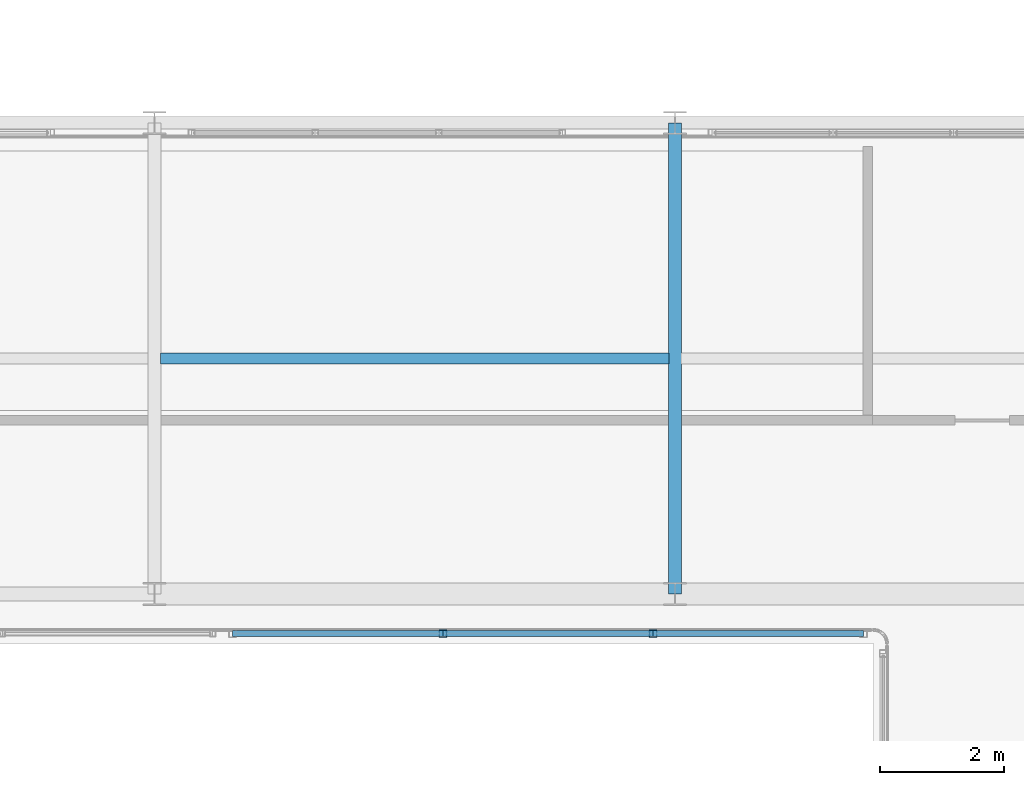
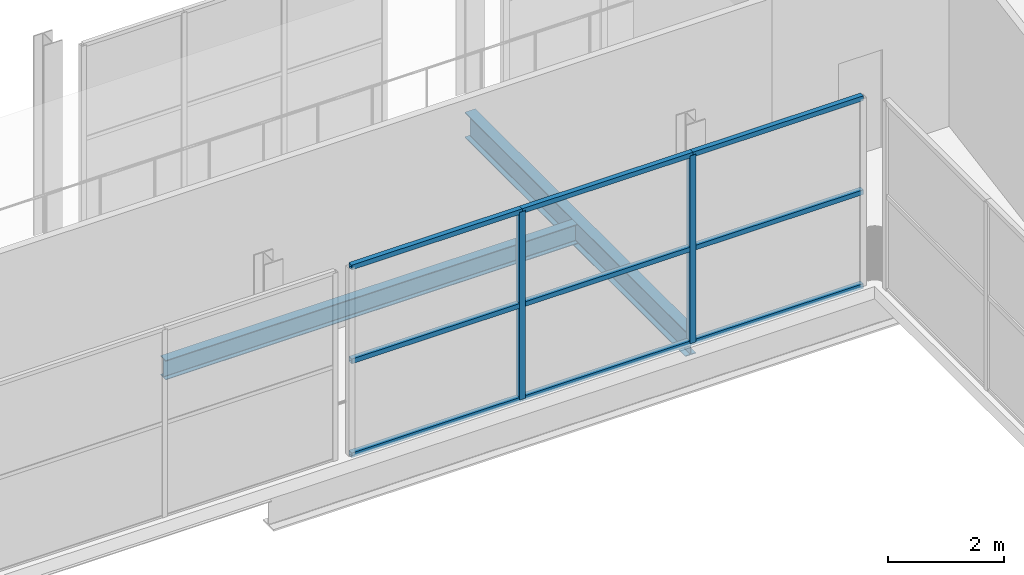
# One storey, part 152 of 217: 11 members, 2 beams, 1 element without a shape of its own.
"""IFC4 building model written with IfcOpenShell, lengths in metres."""

from ifc_helpers import new_model, si_unit, direction, frame, origin, origin_2d, place, context, subcontext, project, spatial, hollow_rectangle, i_section, extrude, material, material_profile, profile_set, type_object, element, aggregate, save


model = new_model("IFC4")

# Units and contexts
model_context = context("Model", 3, precision=1e-05, world=origin(), true_north=direction((0.0, 1.0)))
body_context = subcontext(model_context, "Body", "Model", "MODEL_VIEW")
ifc_project = project(units=[si_unit("LENGTHUNIT", "METRE"), si_unit("AREAUNIT", "SQUARE_METRE"), si_unit("VOLUMEUNIT", "CUBIC_METRE"), si_unit("PLANEANGLEUNIT", "RADIAN"), si_unit("MASSUNIT", "GRAM", prefix="KILO")], contexts=[model_context])

# Site, building, storey
site_placement = place(None, origin())
site = spatial("IfcSite", under=ifc_project, at=site_placement, CompositionType="ELEMENT")
building_placement = place(site_placement, origin())
building = spatial("IfcBuilding", under=site, at=building_placement, Name="Zuvorla Pavilion Media Centre", CompositionType="ELEMENT")
storey_placement = place(building_placement, frame((0.0, 0.0, 9.60009765625)))
storey = spatial("IfcBuildingStorey", under=building, at=storey_placement, Name="L02", CompositionType="ELEMENT", Elevation=9.60009765625)

# Beams
ifc_material_1 = material(Name="Steel S355", Category="steel")
ifc_material_profile_1 = material_profile(ifc_material_1, i_section(OverallWidth=0.1787109375, OverallDepth=0.409423828125, WebThickness=0.0087890625, FlangeThickness=0.014404296875, FilletRadius=0.01025390625, at=origin_2d()), Name="UB 406x178x67")
ifc_profile_set_1 = profile_set([ifc_material_profile_1], Name="Steel S355")
beam_type_1 = type_object("IfcBeamType", Name="BM-UB406", PredefinedType="JOIST", material=ifc_profile_set_1)
beam_1_placement = place(storey_placement, frame((142.5, 85.800048828125, -0.472900390625), z_axis=(1.0, 0.0, 0.0), x_axis=(0.0, 1.0, 0.0)))
element("IfcBeam", 1, at=beam_1_placement, inside=storey, type_object=beam_type_1, Name="L02 joist J02 1039", PredefinedType="JOIST", context=body_context, shape_type="SweptSolid", body=[
    extrude(i_section(OverallWidth=0.1787109375, OverallDepth=0.409423828125, WebThickness=0.0087890625, FlangeThickness=0.014404296875, FilletRadius=0.01025390625, at=origin_2d()), origin(), (0.0, 0.0, 1.0), 8.199951171875),
])
ifc_material_profile_2 = material_profile(ifc_material_1, i_section(OverallWidth=0.2099609375, OverallDepth=0.53662109375, WebThickness=0.0107421875, FlangeThickness=0.017333984375, FilletRadius=0.0126953125, at=origin_2d()), Name="UB 533x210x101")
ifc_profile_set_2 = profile_set([ifc_material_profile_2], Name="Steel S355")
beam_type_2 = type_object("IfcBeamType", Name="BM-UB533", PredefinedType="BEAM", material=ifc_profile_set_2)
beam_2_placement = place(storey_placement, frame((150.800048828125, 82.0, -0.536376953125), z_axis=(0.0, 1.0, 0.0), x_axis=(-1.0, 0.0, 0.0)))
element("IfcBeam", 2, at=beam_2_placement, inside=storey, type_object=beam_type_2, Name="L02 beam B08 970", PredefinedType="BEAM", context=body_context, shape_type="SweptSolid", body=[
    extrude(i_section(OverallWidth=0.2099609375, OverallDepth=0.53662109375, WebThickness=0.0107421875, FlangeThickness=0.017333984375, FilletRadius=0.0126953125, at=origin_2d()), origin(), (0.0, 0.0, 1.0), 7.60009765625),
])

# Curtain wall, members
ifc_material_2 = material(Name="Unitised anodised aluminium and solar glass curtain wall", Category="aluminium")
curtain_wall_type = type_object("IfcCurtainWallType", Name="CW-SYS-35", PredefinedType="USERDEFINED", material=ifc_material_2)
curtain_wall_placement = place(storey_placement, origin())
curtain_wall = element("IfcCurtainWall", 3, at=curtain_wall_placement, inside=storey, type_object=curtain_wall_type, Name="L02 curtain wall CW35 86", ObjectType="CURTAIN WALL", PredefinedType="USERDEFINED")
ifc_material_3 = material(Name="Anodised aluminium 6063-T6", Category="aluminium")
ifc_material_profile_3 = material_profile(ifc_material_3, hollow_rectangle(XDim=0.1201171875, YDim=0.1201171875, WallThickness=0.0048828125, at=origin_2d()), Name="ALU MULL 120x120")
ifc_profile_set_3 = profile_set([ifc_material_profile_3], Name="Anodised aluminium 6063-T6")
member_type_1 = type_object("IfcMemberType", Name="CW-MULL-120", PredefinedType="MULLION", material=ifc_profile_set_3)
member_1_placement = place(storey_placement, frame((150.44677734375, 81.360107421875, 0.0), z_axis=(0.0, 0.0, 1.0), x_axis=(1.0, 0.0, 0.0)))
member_1 = element("IfcMember", 4, at=member_1_placement, type_object=member_type_1, Name="CW35 mullion 2", PredefinedType="MULLION", context=body_context, shape_type="SweptSolid", body=[
    extrude(hollow_rectangle(XDim=0.1201171875, YDim=0.1201171875, WallThickness=0.0048828125, at=origin_2d()), origin(), (0.0, 0.0, 1.0), 3.949951171875),
])
member_2_placement = place(storey_placement, frame((147.05322265625, 81.360107421875, 0.0), z_axis=(0.0, 0.0, 1.0), x_axis=(1.0, 0.0, 0.0)))
member_2 = element("IfcMember", 5, at=member_2_placement, type_object=member_type_1, Name="CW35 mullion 3", PredefinedType="MULLION", context=body_context, shape_type="SweptSolid", body=[
    extrude(hollow_rectangle(XDim=0.1201171875, YDim=0.1201171875, WallThickness=0.0048828125, at=origin_2d()), origin(), (0.0, 0.0, 1.0), 3.949951171875),
])
ifc_material_profile_4 = material_profile(ifc_material_3, hollow_rectangle(XDim=0.10009765625, YDim=0.10009765625, WallThickness=0.00439453125, at=origin_2d()), Name="ALU TRAN 100x100")
ifc_profile_set_4 = profile_set([ifc_material_profile_4], Name="Anodised aluminium 6063-T6")
member_type_2 = type_object("IfcMemberType", Name="CW-TRAN-100", PredefinedType="USERDEFINED", material=ifc_profile_set_4)
member_3_placement = place(storey_placement, frame((153.840087890625, 81.360107421875, 0.0), z_axis=(-1.0, 0.0, 0.0), x_axis=(0.0, -1.0, 0.0)))
member_3 = element("IfcMember", 6, at=member_3_placement, type_object=member_type_2, Name="CW35 transom 1.1", ObjectType="TRANSOM", PredefinedType="USERDEFINED", context=body_context, shape_type="SweptSolid", body=[
    extrude(hollow_rectangle(XDim=0.10009765625, YDim=0.10009765625, WallThickness=0.00439453125, at=origin_2d()), origin(), (0.0, 0.0, 1.0), 3.393310546875),
])
member_4_placement = place(storey_placement, frame((153.840087890625, 81.360107421875, 1.974853515625), z_axis=(-1.0, 0.0, 0.0), x_axis=(0.0, -1.0, 0.0)))
member_4 = element("IfcMember", 7, at=member_4_placement, type_object=member_type_2, Name="CW35 transom 1.2", ObjectType="TRANSOM", PredefinedType="USERDEFINED", context=body_context, shape_type="SweptSolid", body=[
    extrude(hollow_rectangle(XDim=0.10009765625, YDim=0.10009765625, WallThickness=0.00439453125, at=origin_2d()), origin(), (0.0, 0.0, 1.0), 3.393310546875),
])
member_5_placement = place(storey_placement, frame((153.840087890625, 81.360107421875, 3.949951171875), z_axis=(-1.0, 0.0, 0.0), x_axis=(0.0, -1.0, 0.0)))
member_5 = element("IfcMember", 8, at=member_5_placement, type_object=member_type_2, Name="CW35 transom 1.3", ObjectType="TRANSOM", PredefinedType="USERDEFINED", context=body_context, shape_type="SweptSolid", body=[
    extrude(hollow_rectangle(XDim=0.10009765625, YDim=0.10009765625, WallThickness=0.00439453125, at=origin_2d()), origin(), (0.0, 0.0, 1.0), 3.393310546875),
])
member_6_placement = place(storey_placement, frame((150.44677734375, 81.360107421875, 0.0), z_axis=(-1.0, 0.0, 0.0), x_axis=(0.0, -1.0, 0.0)))
member_6 = element("IfcMember", 9, at=member_6_placement, type_object=member_type_2, Name="CW35 transom 2.1", ObjectType="TRANSOM", PredefinedType="USERDEFINED", context=body_context, shape_type="SweptSolid", body=[
    extrude(hollow_rectangle(XDim=0.10009765625, YDim=0.10009765625, WallThickness=0.00439453125, at=origin_2d()), origin(), (0.0, 0.0, 1.0), 3.3935546875),
])
member_7_placement = place(storey_placement, frame((150.44677734375, 81.360107421875, 1.974853515625), z_axis=(-1.0, 0.0, 0.0), x_axis=(0.0, -1.0, 0.0)))
member_7 = element("IfcMember", 10, at=member_7_placement, type_object=member_type_2, Name="CW35 transom 2.2", ObjectType="TRANSOM", PredefinedType="USERDEFINED", context=body_context, shape_type="SweptSolid", body=[
    extrude(hollow_rectangle(XDim=0.10009765625, YDim=0.10009765625, WallThickness=0.00439453125, at=origin_2d()), origin(), (0.0, 0.0, 1.0), 3.3935546875),
])
member_8_placement = place(storey_placement, frame((150.44677734375, 81.360107421875, 3.949951171875), z_axis=(-1.0, 0.0, 0.0), x_axis=(0.0, -1.0, 0.0)))
member_8 = element("IfcMember", 11, at=member_8_placement, type_object=member_type_2, Name="CW35 transom 2.3", ObjectType="TRANSOM", PredefinedType="USERDEFINED", context=body_context, shape_type="SweptSolid", body=[
    extrude(hollow_rectangle(XDim=0.10009765625, YDim=0.10009765625, WallThickness=0.00439453125, at=origin_2d()), origin(), (0.0, 0.0, 1.0), 3.3935546875),
])
member_9_placement = place(storey_placement, frame((147.05322265625, 81.360107421875, 0.0), z_axis=(-1.0, 0.0, 0.0), x_axis=(0.0, -1.0, 0.0)))
member_9 = element("IfcMember", 12, at=member_9_placement, type_object=member_type_2, Name="CW35 transom 3.1", ObjectType="TRANSOM", PredefinedType="USERDEFINED", context=body_context, shape_type="SweptSolid", body=[
    extrude(hollow_rectangle(XDim=0.10009765625, YDim=0.10009765625, WallThickness=0.00439453125, at=origin_2d()), origin(), (0.0, 0.0, 1.0), 3.393310546875),
])
member_10_placement = place(storey_placement, frame((147.05322265625, 81.360107421875, 1.974853515625), z_axis=(-1.0, 0.0, 0.0), x_axis=(0.0, -1.0, 0.0)))
member_10 = element("IfcMember", 13, at=member_10_placement, type_object=member_type_2, Name="CW35 transom 3.2", ObjectType="TRANSOM", PredefinedType="USERDEFINED", context=body_context, shape_type="SweptSolid", body=[
    extrude(hollow_rectangle(XDim=0.10009765625, YDim=0.10009765625, WallThickness=0.00439453125, at=origin_2d()), origin(), (0.0, 0.0, 1.0), 3.393310546875),
])
member_11_placement = place(storey_placement, frame((147.05322265625, 81.360107421875, 3.949951171875), z_axis=(-1.0, 0.0, 0.0), x_axis=(0.0, -1.0, 0.0)))
member_11 = element("IfcMember", 14, at=member_11_placement, type_object=member_type_2, Name="CW35 transom 3.3", ObjectType="TRANSOM", PredefinedType="USERDEFINED", context=body_context, shape_type="SweptSolid", body=[
    extrude(hollow_rectangle(XDim=0.10009765625, YDim=0.10009765625, WallThickness=0.00439453125, at=origin_2d()), origin(), (0.0, 0.0, 1.0), 3.393310546875),
])
aggregate(curtain_wall, [member_1, member_2, member_3, member_4, member_5, member_6, member_7, member_8, member_9, member_10, member_11])

save(model, "model.ifc")
